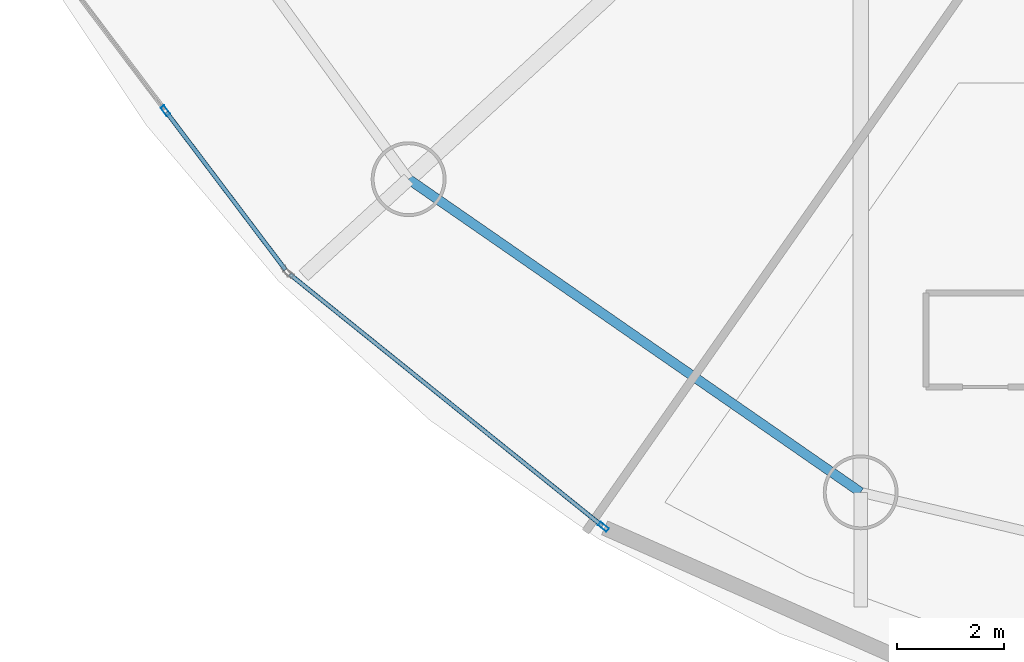
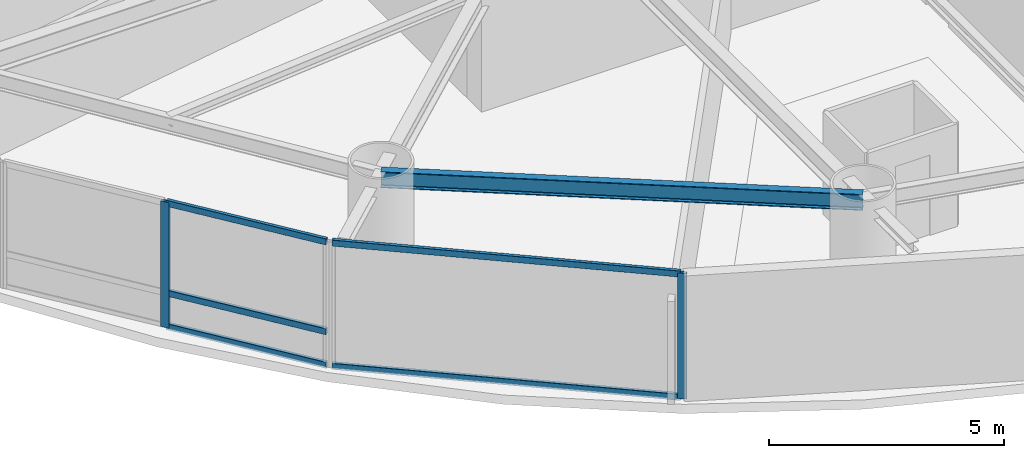
# One storey, part 2 of 20: 7 members, 1 beam, 2 elements without a shape of their own.
"""IFC4 building model written with IfcOpenShell, lengths in metres."""

from ifc_helpers import new_model, si_unit, direction, frame, origin, origin_2d, place, context, subcontext, project, spatial, hollow_rectangle, i_section, extrude, material, layer, layer_set, material_profile, profile_set, type_object, element, aggregate, save


model = new_model("IFC4")

# Units and contexts
model_context = context("Model", 3, precision=1e-05, world=origin(), true_north=direction((0.0, 1.0)))
body_context = subcontext(model_context, "Body", "Model", "MODEL_VIEW")
ifc_project = project(units=[si_unit("LENGTHUNIT", "METRE"), si_unit("AREAUNIT", "SQUARE_METRE"), si_unit("VOLUMEUNIT", "CUBIC_METRE"), si_unit("PLANEANGLEUNIT", "RADIAN"), si_unit("MASSUNIT", "GRAM", prefix="KILO")], contexts=[model_context])

# Site, building, storey
site_placement = place(None, origin())
site = spatial("IfcSite", under=ifc_project, at=site_placement, CompositionType="ELEMENT")
building_placement = place(site_placement, origin())
building = spatial("IfcBuilding", under=site, at=building_placement, Name="Bramvorn Convention Spire", CompositionType="ELEMENT")
storey_placement = place(building_placement, frame((0.0, 0.0, 155.300048828125)))
storey = spatial("IfcBuildingStorey", under=building, at=storey_placement, Name="L39", CompositionType="ELEMENT", Elevation=155.300048828125)

# Beam
ifc_material_1 = material(Name="Steel CSA G40.21 Grade 350 (350W)", Category="steel")
ifc_material_profile_1 = material_profile(ifc_material_1, i_section(OverallWidth=0.180908203125, OverallDepth=0.4169921875, WebThickness=0.010986328125, FlangeThickness=0.018310546875, FilletRadius=0.01611328125, at=origin_2d()))
ifc_profile_set_1 = profile_set([ifc_material_profile_1], Name="Steel CSA G40.21 Grade 350 (350W) - W410X85")
beam_type = type_object("IfcBeamType", Name="BM-W410X85", PredefinedType="JOIST", material=ifc_profile_set_1)
beam_placement = place(storey_placement, frame((21.465087890625, 13.700927734375, 3.051513671875), z_axis=(0.822033166673, -0.569439613032, 0.0), x_axis=(0.569439613032, 0.822033166673, 0.0)))
element("IfcBeam", 1, at=beam_placement, inside=storey, type_object=beam_type, Name="L39 mega-column ring beam 12", PredefinedType="JOIST", context=body_context, shape_type="SweptSolid", body=[
    extrude(i_section(OverallWidth=0.180908203125, OverallDepth=0.4169921875, WebThickness=0.010986328125, FlangeThickness=0.018310546875, FilletRadius=0.01611328125, at=origin_2d()), origin(), (0.0, 0.0, 1.0), 10.281982421875),
])

# Curtain wall, member
ifc_material_2 = material(Name="Anodised Bronze Unitised Curtain Wall", Category="aluminium")
ifc_layer = layer(ifc_material_2, 0.179931640625)
ifc_layer_set = layer_set([ifc_layer], Name="Anodised Bronze Unitised Curtain Wall - CW-HTL-FRIT")
curtain_wall_type = type_object("IfcCurtainWallType", Name="CW-HTL-FRIT", PredefinedType="USERDEFINED", material=ifc_layer_set)
curtain_wall_1_placement = place(storey_placement, origin())
curtain_wall_1 = element("IfcCurtainWall", 2, at=curtain_wall_1_placement, inside=storey, type_object=curtain_wall_type, Name="L39 fritted glass curtain wall 17", ObjectType="UNITISED CURTAIN WALL", PredefinedType="USERDEFINED")
ifc_material_3 = material(Name="Anodised Bronze Aluminium 6063-T6", Category="aluminium")
ifc_material_profile_2 = material_profile(ifc_material_3, hollow_rectangle(XDim=0.080078125, YDim=0.199951171875, WallThickness=0.00390625, InnerFilletRadius=0.0009765625, OuterFilletRadius=0.00390625, at=origin_2d()))
ifc_profile_set_2 = profile_set([ifc_material_profile_2], Name="Anodised Bronze Aluminium 6063-T6 - CWM80X200")
member_type_1 = type_object("IfcMemberType", Name="CW-MUL-180", PredefinedType="MULLION", material=ifc_profile_set_2)
member_1_placement = place(storey_placement, frame((16.917724609375, 14.980224609375, 0.0), z_axis=(0.0, 0.0, 1.0), x_axis=(-0.798109436583, -0.6025125121, 0.0)))
member_1 = element("IfcMember", 3, at=member_1_placement, type_object=member_type_1, Name="CW2 mullion 2", PredefinedType="MULLION", context=body_context, shape_type="SweptSolid", body=[
    extrude(hollow_rectangle(XDim=0.080078125, YDim=0.199951171875, WallThickness=0.00390625, InnerFilletRadius=0.0009765625, OuterFilletRadius=0.00390625, at=origin_2d()), origin(), (0.0, 0.0, 1.0), 3.260009765625),
])

curtain_wall_2_placement = place(storey_placement, origin())
curtain_wall_2 = element("IfcCurtainWall", 4, at=curtain_wall_2_placement, inside=storey, type_object=curtain_wall_type, Name="L39 fritted glass curtain wall 18", ObjectType="UNITISED CURTAIN WALL", PredefinedType="USERDEFINED")
member_2_placement = place(storey_placement, frame((25.107177734375, 7.200439453125, 0.0), z_axis=(0.0, 0.0, 1.0), x_axis=(-0.627254786317, -0.778814119699, 0.0)))
member_2 = element("IfcMember", 5, at=member_2_placement, type_object=member_type_1, Name="CW2 mullion 1", PredefinedType="MULLION", context=body_context, shape_type="SweptSolid", body=[
    extrude(hollow_rectangle(XDim=0.080078125, YDim=0.199951171875, WallThickness=0.00390625, InnerFilletRadius=0.0009765625, OuterFilletRadius=0.00390625, at=origin_2d()), origin(), (0.0, 0.0, 1.0), 3.260009765625),
])

# Member
ifc_material_profile_3 = material_profile(ifc_material_3, hollow_rectangle(XDim=0.080078125, YDim=0.159912109375, WallThickness=0.00390625, InnerFilletRadius=0.0009765625, OuterFilletRadius=0.00390625, at=origin_2d()))
ifc_profile_set_3 = profile_set([ifc_material_profile_3], Name="Anodised Bronze Aluminium 6063-T6 - CWT80X160")
member_type_2 = type_object("IfcMemberType", Name="CW-TRN-150", PredefinedType="USERDEFINED", material=ifc_profile_set_3)
member_3_placement = place(storey_placement, frame((19.161865234375, 12.007568359375, 0.030029296875), z_axis=(-0.602513341238, 0.798108810646, 0.0), x_axis=(-0.798108810646, -0.602513341238, 0.0)))
member_3 = element("IfcMember", 6, at=member_3_placement, type_object=member_type_2, Name="CW2 transom 1.1", ObjectType="TRANSOM", PredefinedType="USERDEFINED", context=body_context, shape_type="SweptSolid", body=[
    extrude(hollow_rectangle(XDim=0.080078125, YDim=0.159912109375, WallThickness=0.00390625, InnerFilletRadius=0.0009765625, OuterFilletRadius=0.00390625, at=origin_2d()), origin(), (0.0, 0.0, 1.0), 3.694580078125),
])

member_4_placement = place(storey_placement, frame((19.161865234375, 12.007568359375, 0.89990234375), z_axis=(-0.602513341238, 0.798108810646, 0.0), x_axis=(-0.798108810646, -0.602513341238, 0.0)))
member_4 = element("IfcMember", 7, at=member_4_placement, type_object=member_type_2, Name="CW2 transom 1.2", ObjectType="TRANSOM", PredefinedType="USERDEFINED", context=body_context, shape_type="SweptSolid", body=[
    extrude(hollow_rectangle(XDim=0.080078125, YDim=0.159912109375, WallThickness=0.00390625, InnerFilletRadius=0.0009765625, OuterFilletRadius=0.00390625, at=origin_2d()), origin(), (0.0, 0.0, 1.0), 3.694580078125),
])

member_5_placement = place(storey_placement, frame((19.161865234375, 12.007568359375, 3.22998046875), z_axis=(-0.602513341238, 0.798108810646, 0.0), x_axis=(-0.798108810646, -0.602513341238, 0.0)))
member_5 = element("IfcMember", 8, at=member_5_placement, type_object=member_type_2, Name="CW2 transom 1.3", ObjectType="TRANSOM", PredefinedType="USERDEFINED", context=body_context, shape_type="SweptSolid", body=[
    extrude(hollow_rectangle(XDim=0.080078125, YDim=0.159912109375, WallThickness=0.00390625, InnerFilletRadius=0.0009765625, OuterFilletRadius=0.00390625, at=origin_2d()), origin(), (0.0, 0.0, 1.0), 3.694580078125),
])

aggregate(curtain_wall_1, [member_1, member_3, member_4, member_5])

member_6_placement = place(storey_placement, frame((25.083984375, 7.21923828125, 0.030029296875), z_axis=(-0.778821954406, 0.627245058438, 0.0), x_axis=(-0.627245058438, -0.778821954406, 0.0)))
member_6 = element("IfcMember", 9, at=member_6_placement, type_object=member_type_2, Name="CW2 transom 1.1", ObjectType="TRANSOM", PredefinedType="USERDEFINED", context=body_context, shape_type="SweptSolid", body=[
    extrude(hollow_rectangle(XDim=0.080078125, YDim=0.159912109375, WallThickness=0.00390625, InnerFilletRadius=0.0009765625, OuterFilletRadius=0.00390625, at=origin_2d()), origin(), (0.0, 0.0, 1.0), 7.49755859375),
])

member_7_placement = place(storey_placement, frame((25.083984375, 7.21923828125, 3.22998046875), z_axis=(-0.778821954406, 0.627245058438, 0.0), x_axis=(-0.627245058438, -0.778821954406, 0.0)))
member_7 = element("IfcMember", 10, at=member_7_placement, type_object=member_type_2, Name="CW2 transom 1.2", ObjectType="TRANSOM", PredefinedType="USERDEFINED", context=body_context, shape_type="SweptSolid", body=[
    extrude(hollow_rectangle(XDim=0.080078125, YDim=0.159912109375, WallThickness=0.00390625, InnerFilletRadius=0.0009765625, OuterFilletRadius=0.00390625, at=origin_2d()), origin(), (0.0, 0.0, 1.0), 7.49755859375),
])

aggregate(curtain_wall_2, [member_2, member_6, member_7])

save(model, "model.ifc")
